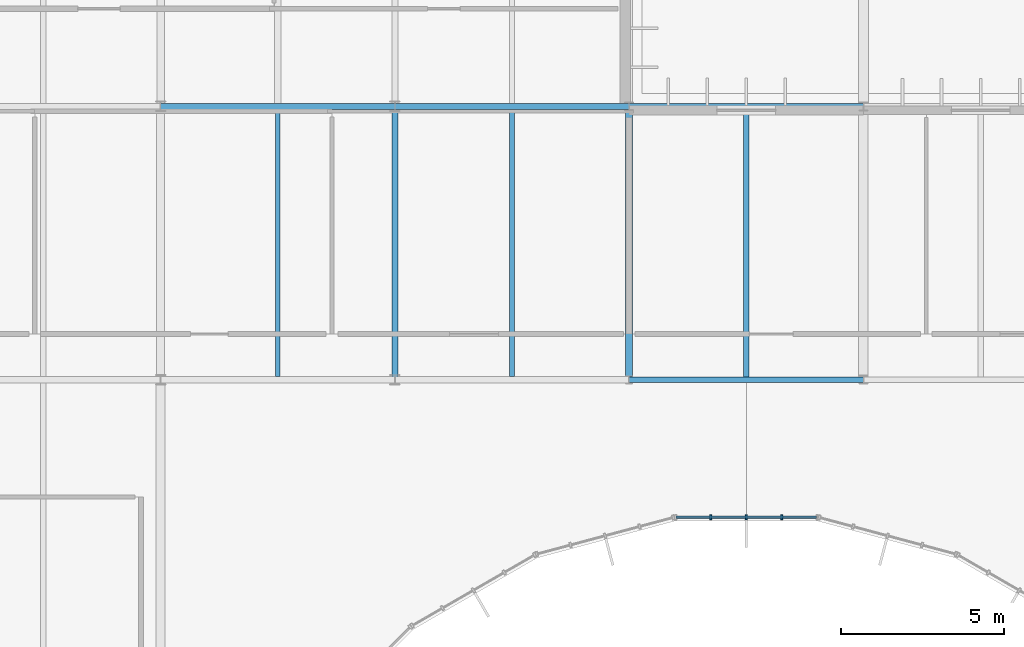
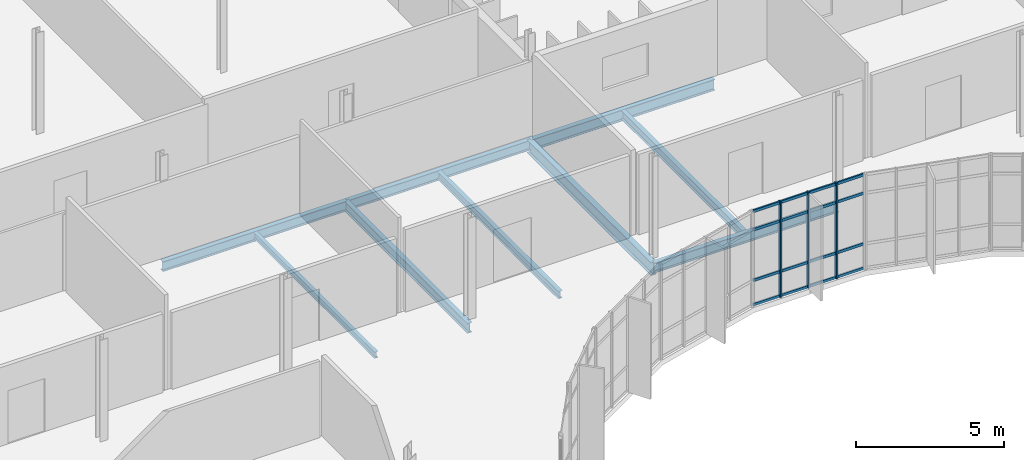
# One storey, part 50 of 99: 9 beams, 7 members, 1 element without a shape of its own.
"""IFC4 building model written with IfcOpenShell, lengths in metres."""

from ifc_helpers import new_model, si_unit, direction, frame, origin, origin_2d, place, context, subcontext, project, spatial, rectangle, i_section, extrude, material, material_profile, profile_set, type_object, element, aggregate, save


model = new_model("IFC4")

# Units and contexts
model_context = context("Model", 3, precision=1e-05, world=origin(), true_north=direction((0.0, 1.0)))
body_context = subcontext(model_context, "Body", "Model", "MODEL_VIEW")
ifc_project = project(units=[si_unit("LENGTHUNIT", "METRE"), si_unit("AREAUNIT", "SQUARE_METRE"), si_unit("VOLUMEUNIT", "CUBIC_METRE"), si_unit("PLANEANGLEUNIT", "RADIAN"), si_unit("MASSUNIT", "GRAM", prefix="KILO")], contexts=[model_context])

# Site, building, storey
site_placement = place(None, origin())
site = spatial("IfcSite", under=ifc_project, at=site_placement, CompositionType="ELEMENT")
building_placement = place(site_placement, origin())
building = spatial("IfcBuilding", under=site, at=building_placement, Name="Qelthora Terrace Specialist Clinic", CompositionType="ELEMENT")
storey_placement = place(building_placement, frame((0.0, 0.0, 9.0)))
storey = spatial("IfcBuildingStorey", under=building, at=storey_placement, Name="L02", CompositionType="ELEMENT", Elevation=9.0)

# Beams
ifc_material_1 = material(Name="Steel S355", Category="steel")
ifc_material_profile_1 = material_profile(ifc_material_1, i_section(OverallWidth=0.178955078125, OverallDepth=0.409912109375, WebThickness=0.0087890625, FlangeThickness=0.014404296875, FilletRadius=0.011962890625, at=origin_2d()), Name="W410X67")
ifc_profile_set_1 = profile_set([ifc_material_profile_1], Name="Steel S355")
beam_type_1 = type_object("IfcBeamType", Name="BM-W410X67", PredefinedType="BEAM", material=ifc_profile_set_1)
beam_1_placement = place(storey_placement, frame((115.199951171875, 92.39990234375, -0.455078125), z_axis=(1.0, 0.0, 0.0), x_axis=(0.0, 1.0, 0.0)))
element("IfcBeam", 1, at=beam_1_placement, inside=storey, type_object=beam_type_1, Name="Girder BMX-L02-0698", PredefinedType="BEAM", context=body_context, shape_type="SweptSolid", body=[
    extrude(i_section(OverallWidth=0.178955078125, OverallDepth=0.409912109375, WebThickness=0.0087890625, FlangeThickness=0.014404296875, FilletRadius=0.011962890625, at=origin_2d()), origin(), (0.0, 0.0, 1.0), 7.199951171875),
])
ifc_material_profile_2 = material_profile(ifc_material_1, i_section(OverallWidth=0.179931640625, OverallDepth=0.4130859375, WebThickness=0.009765625, FlangeThickness=0.01611328125, FilletRadius=0.011962890625, at=origin_2d()), Name="W410X75")
ifc_profile_set_2 = profile_set([ifc_material_profile_2], Name="Steel S355")
beam_type_2 = type_object("IfcBeamType", Name="BM-W410X75", PredefinedType="BEAM", material=ifc_profile_set_2)
beam_2_placement = place(storey_placement, frame((122.39990234375, 84.0, -0.45654296875), z_axis=(1.0, 0.0, 0.0), x_axis=(0.0, 1.0, 0.0)))
element("IfcBeam", 2, at=beam_2_placement, inside=storey, type_object=beam_type_2, Name="Girder BMX-L02-0681", PredefinedType="BEAM", context=body_context, shape_type="SweptSolid", body=[
    extrude(i_section(OverallWidth=0.179931640625, OverallDepth=0.4130859375, WebThickness=0.009765625, FlangeThickness=0.01611328125, FilletRadius=0.011962890625, at=origin_2d()), origin(), (0.0, 0.0, 1.0), 7.2001953125),
])
beam_3_placement = place(storey_placement, frame((108.0, 92.39990234375, -0.45654296875), z_axis=(1.0, 0.0, 0.0), x_axis=(0.0, 1.0, 0.0)))
element("IfcBeam", 3, at=beam_3_placement, inside=storey, type_object=beam_type_2, Name="Girder BMX-L02-0697", PredefinedType="BEAM", context=body_context, shape_type="SweptSolid", body=[
    extrude(i_section(OverallWidth=0.179931640625, OverallDepth=0.4130859375, WebThickness=0.009765625, FlangeThickness=0.01611328125, FilletRadius=0.011962890625, at=origin_2d()), origin(), (0.0, 0.0, 1.0), 7.199951171875),
])
beam_4_placement = place(storey_placement, frame((115.199951171875, 84.0, -0.45654296875), z_axis=(0.0, 1.0, 0.0), x_axis=(-1.0, 0.0, 0.0)))
element("IfcBeam", 4, at=beam_4_placement, inside=storey, type_object=beam_type_2, Name="Girder BMY-L02-0869", PredefinedType="BEAM", context=body_context, shape_type="SweptSolid", body=[
    extrude(i_section(OverallWidth=0.179931640625, OverallDepth=0.4130859375, WebThickness=0.009765625, FlangeThickness=0.01611328125, FilletRadius=0.011962890625, at=origin_2d()), origin(), (0.0, 0.0, 1.0), 8.39990234375),
])
ifc_material_profile_3 = material_profile(ifc_material_1, i_section(OverallWidth=0.19091796875, OverallDepth=0.4599609375, WebThickness=0.010009765625, FlangeThickness=0.01611328125, FilletRadius=0.012939453125, at=origin_2d()), Name="W460X82")
ifc_profile_set_3 = profile_set([ifc_material_profile_3], Name="Steel S355")
beam_type_3 = type_object("IfcBeamType", Name="BM-W460X82", PredefinedType="BEAM", material=ifc_profile_set_3)
beam_5_placement = place(storey_placement, frame((122.39990234375, 92.39990234375, -0.47998046875), z_axis=(1.0, 0.0, 0.0), x_axis=(0.0, 1.0, 0.0)))
element("IfcBeam", 5, at=beam_5_placement, inside=storey, type_object=beam_type_3, Name="Girder BMX-L02-0699", PredefinedType="BEAM", context=body_context, shape_type="SweptSolid", body=[
    extrude(i_section(OverallWidth=0.19091796875, OverallDepth=0.4599609375, WebThickness=0.010009765625, FlangeThickness=0.01611328125, FilletRadius=0.012939453125, at=origin_2d()), origin(), (0.0, 0.0, 1.0), 7.2001953125),
])
ifc_material_profile_4 = material_profile(ifc_material_1, i_section(OverallWidth=0.2119140625, OverallDepth=0.5439453125, WebThickness=0.01318359375, FlangeThickness=0.021240234375, FilletRadius=0.013916015625, at=origin_2d()), Name="W530X123")
ifc_profile_set_4 = profile_set([ifc_material_profile_4], Name="Steel S355")
beam_type_4 = type_object("IfcBeamType", Name="BM-W530X123", PredefinedType="BEAM", material=ifc_profile_set_4)
beam_6_placement = place(storey_placement, frame((122.39990234375, 84.0, -0.52197265625), z_axis=(0.0, 1.0, 0.0), x_axis=(-1.0, 0.0, 0.0)))
element("IfcBeam", 6, at=beam_6_placement, inside=storey, type_object=beam_type_4, Name="Girder BMY-L02-0875", PredefinedType="BEAM", context=body_context, shape_type="SweptSolid", body=[
    extrude(i_section(OverallWidth=0.2119140625, OverallDepth=0.5439453125, WebThickness=0.01318359375, FlangeThickness=0.021240234375, FilletRadius=0.013916015625, at=origin_2d()), origin(), (0.0, 0.0, 1.0), 8.39990234375),
])

# Curtain wall, members
ifc_material_2 = material(Name="Aluminium anodized bronze", Category="aluminium")
curtain_wall_type = type_object("IfcCurtainWallType", Name="CW-CRTE-UPP", PredefinedType="NOTDEFINED", material=ifc_material_2)
curtain_wall_placement = place(storey_placement, origin())
curtain_wall = element("IfcCurtainWall", 7, at=curtain_wall_placement, inside=storey, type_object=curtain_wall_type, Name="Curtain wall CW-CE-L02-06", PredefinedType="NOTDEFINED")
ifc_material_profile_5 = material_profile(ifc_material_2, rectangle(XDim=0.06005859375, YDim=0.14990234375, at=origin_2d()), Name="CWM60X150")
ifc_profile_set_5 = profile_set([ifc_material_profile_5], Name="Aluminium anodized bronze")
member_type_1 = type_object("IfcMemberType", Name="CWM-60X150", PredefinedType="MULLION", material=ifc_profile_set_5)
member_1_placement = place(storey_placement, frame((127.096435546875, 79.7763671875, 0.0), z_axis=(0.0, 0.0, 1.0), x_axis=(-1.0, 0.0, 0.0)))
member_1 = element("IfcMember", 8, at=member_1_placement, type_object=member_type_1, Name="CW-CE-L02-06 mullion 2", PredefinedType="MULLION", context=body_context, shape_type="SweptSolid", body=[
    extrude(rectangle(XDim=0.06005859375, YDim=0.14990234375, at=origin_2d()), origin(), (0.0, 0.0, 1.0), 3.945068359375),
])
member_2_placement = place(storey_placement, frame((126.0, 79.7763671875, 0.0), z_axis=(0.0, 0.0, 1.0), x_axis=(-1.0, 0.0, 0.0)))
member_2 = element("IfcMember", 9, at=member_2_placement, type_object=member_type_1, Name="CW-CE-L02-06 mullion 3", PredefinedType="MULLION", context=body_context, shape_type="SweptSolid", body=[
    extrude(rectangle(XDim=0.06005859375, YDim=0.14990234375, at=origin_2d()), origin(), (0.0, 0.0, 1.0), 3.945068359375),
])
member_3_placement = place(storey_placement, frame((124.903564453125, 79.7763671875, 0.0), z_axis=(0.0, 0.0, 1.0), x_axis=(-1.0, 0.0, 0.0)))
member_3 = element("IfcMember", 10, at=member_3_placement, type_object=member_type_1, Name="CW-CE-L02-06 mullion 4", PredefinedType="MULLION", context=body_context, shape_type="SweptSolid", body=[
    extrude(rectangle(XDim=0.06005859375, YDim=0.14990234375, at=origin_2d()), origin(), (0.0, 0.0, 1.0), 3.945068359375),
])
ifc_material_profile_6 = material_profile(ifc_material_2, rectangle(XDim=0.06005859375, YDim=0.110107421875, at=origin_2d()), Name="CWT60X110")
ifc_profile_set_6 = profile_set([ifc_material_profile_6], Name="Aluminium anodized bronze")
member_type_2 = type_object("IfcMemberType", Name="CWT-60X110", PredefinedType="USERDEFINED", material=ifc_profile_set_6)
member_4_placement = place(storey_placement, frame((128.15283203125, 79.7763671875, 0.0400390625), z_axis=(-1.0, 0.0, 0.0), x_axis=(0.0, -1.0, 0.0)))
member_4 = element("IfcMember", 11, at=member_4_placement, type_object=member_type_2, Name="CW-CE-L02-06 transom 1", ObjectType="TRANSOM", PredefinedType="USERDEFINED", context=body_context, shape_type="SweptSolid", body=[
    extrude(rectangle(XDim=0.06005859375, YDim=0.110107421875, at=origin_2d()), origin(), (0.0, 0.0, 1.0), 4.3056640625),
])
member_5_placement = place(storey_placement, frame((128.15283203125, 79.7763671875, 1.050048828125), z_axis=(-1.0, 0.0, 0.0), x_axis=(0.0, -1.0, 0.0)))
member_5 = element("IfcMember", 12, at=member_5_placement, type_object=member_type_2, Name="CW-CE-L02-06 transom 2", ObjectType="TRANSOM", PredefinedType="USERDEFINED", context=body_context, shape_type="SweptSolid", body=[
    extrude(rectangle(XDim=0.06005859375, YDim=0.110107421875, at=origin_2d()), origin(), (0.0, 0.0, 1.0), 4.3056640625),
])
member_6_placement = place(storey_placement, frame((128.15283203125, 79.7763671875, 3.14501953125), z_axis=(-1.0, 0.0, 0.0), x_axis=(0.0, -1.0, 0.0)))
member_6 = element("IfcMember", 13, at=member_6_placement, type_object=member_type_2, Name="CW-CE-L02-06 transom 3", ObjectType="TRANSOM", PredefinedType="USERDEFINED", context=body_context, shape_type="SweptSolid", body=[
    extrude(rectangle(XDim=0.06005859375, YDim=0.110107421875, at=origin_2d()), origin(), (0.0, 0.0, 1.0), 4.3056640625),
])
member_7_placement = place(storey_placement, frame((128.15283203125, 79.7763671875, 3.905029296875), z_axis=(-1.0, 0.0, 0.0), x_axis=(0.0, -1.0, 0.0)))
member_7 = element("IfcMember", 14, at=member_7_placement, type_object=member_type_2, Name="CW-CE-L02-06 transom 4", ObjectType="TRANSOM", PredefinedType="USERDEFINED", context=body_context, shape_type="SweptSolid", body=[
    extrude(rectangle(XDim=0.06005859375, YDim=0.110107421875, at=origin_2d()), origin(), (0.0, 0.0, 1.0), 4.3056640625),
])
aggregate(curtain_wall, [member_1, member_2, member_3, member_4, member_5, member_6, member_7])

# Beams
ifc_material_profile_7 = material_profile(ifc_material_1, i_section(OverallWidth=0.14599609375, OverallDepth=0.258056640625, WebThickness=0.006103515625, FlangeThickness=0.009033203125, FilletRadius=0.009033203125, at=origin_2d()), Name="W250X33")
ifc_profile_set_7 = profile_set([ifc_material_profile_7], Name="Steel S355")
beam_type_5 = type_object("IfcBeamType", Name="JST-W250X33", PredefinedType="JOIST", material=ifc_profile_set_7)
beam_7_placement = place(storey_placement, frame((111.60009765625, 84.096435546875, -0.37890625), z_axis=(0.0, 1.0, 0.0), x_axis=(-1.0, 0.0, 0.0)))
element("IfcBeam", 15, at=beam_7_placement, inside=storey, type_object=beam_type_5, Name="Composite floor joist JST-L02-0198", PredefinedType="JOIST", context=body_context, shape_type="SweptSolid", body=[
    extrude(i_section(OverallWidth=0.14599609375, OverallDepth=0.258056640625, WebThickness=0.006103515625, FlangeThickness=0.009033203125, FilletRadius=0.009033203125, at=origin_2d()), origin(), (0.0, 0.0, 1.0), 8.213623046875),
])
ifc_material_profile_8 = material_profile(ifc_material_1, i_section(OverallWidth=0.166015625, OverallDepth=0.31298828125, WebThickness=0.006591796875, FlangeThickness=0.01123046875, FilletRadius=0.010009765625, at=origin_2d()), Name="W310X45")
ifc_profile_set_8 = profile_set([ifc_material_profile_8], Name="Steel S355")
beam_type_6 = type_object("IfcBeamType", Name="JST-W310X45", PredefinedType="JOIST", material=ifc_profile_set_8)
beam_8_placement = place(storey_placement, frame((118.800048828125, 84.095458984375, -0.406494140625), z_axis=(0.0, 1.0, 0.0), x_axis=(-1.0, 0.0, 0.0)))
element("IfcBeam", 16, at=beam_8_placement, inside=storey, type_object=beam_type_6, Name="Composite floor joist JST-L02-0202", PredefinedType="JOIST", context=body_context, shape_type="SweptSolid", body=[
    extrude(i_section(OverallWidth=0.166015625, OverallDepth=0.31298828125, WebThickness=0.006591796875, FlangeThickness=0.01123046875, FilletRadius=0.010009765625, at=origin_2d()), origin(), (0.0, 0.0, 1.0), 8.215087890625),
])
ifc_material_profile_9 = material_profile(ifc_material_1, i_section(OverallWidth=0.172119140625, OverallDepth=0.35791015625, WebThickness=0.0078125, FlangeThickness=0.01318359375, FilletRadius=0.010986328125, at=origin_2d()), Name="W360X57")
ifc_profile_set_9 = profile_set([ifc_material_profile_9], Name="Steel S355")
beam_type_7 = type_object("IfcBeamType", Name="JST-W360X57", PredefinedType="JOIST", material=ifc_profile_set_9)
beam_9_placement = place(storey_placement, frame((126.0, 84.090087890625, -0.428955078125), z_axis=(0.0, 1.0, 0.0), x_axis=(-1.0, 0.0, 0.0)))
element("IfcBeam", 17, at=beam_9_placement, inside=storey, type_object=beam_type_7, Name="Composite floor joist JST-L02-0206", PredefinedType="JOIST", context=body_context, shape_type="SweptSolid", body=[
    extrude(i_section(OverallWidth=0.172119140625, OverallDepth=0.35791015625, WebThickness=0.0078125, FlangeThickness=0.01318359375, FilletRadius=0.010986328125, at=origin_2d()), origin(), (0.0, 0.0, 1.0), 8.21435546875),
])

save(model, "model.ifc")
